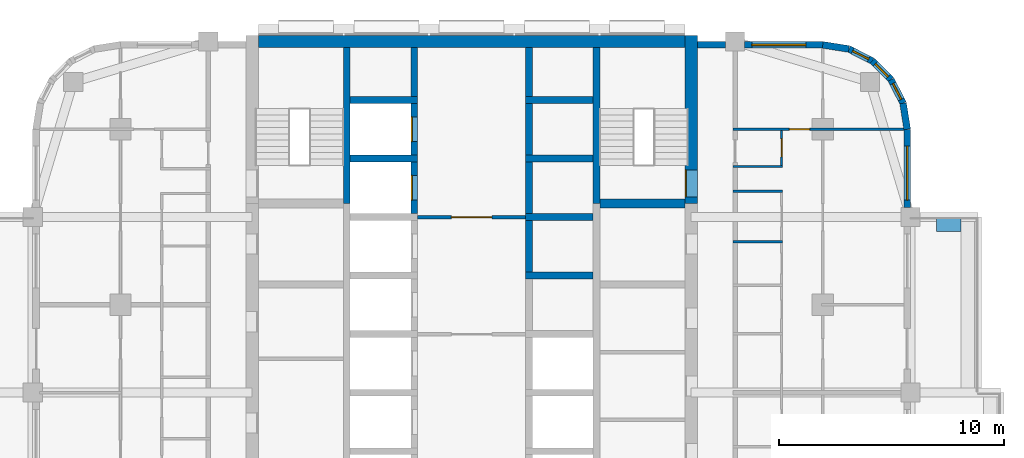
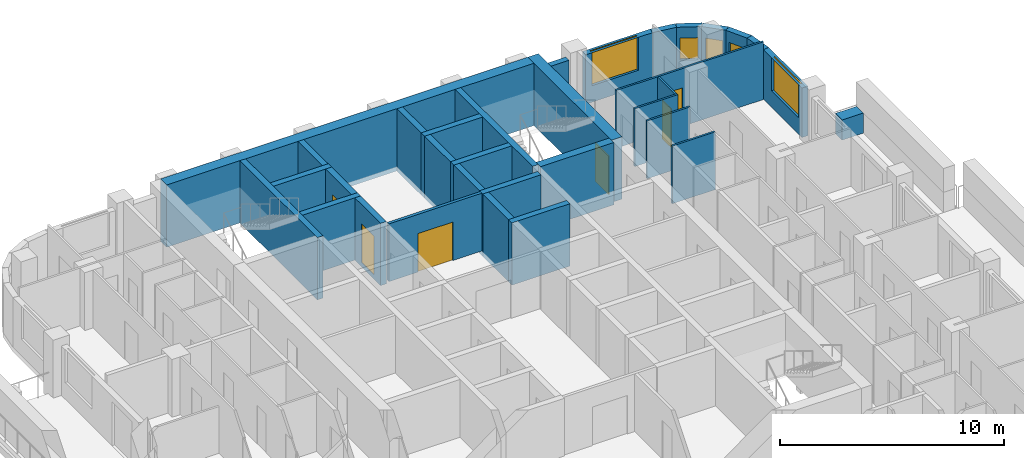
# One storey, part 9 of 13: 33 walls, 6 doors, 5 windows, 11 openings.
"""IFC4 building model written with IfcOpenShell, lengths in metres."""

from ifc_helpers import new_model, si_unit, direction, frame, frame_2d, origin, place, context, subcontext, project, spatial, rectangle, extrude, material, layer, layer_set, type_object, element, fill, save


model = new_model("IFC4")

# Units and contexts
model_context = context("Model", 3, precision=1e-05, world=origin(), true_north=direction((0.0, 1.0)))
body_context = subcontext(model_context, "Body", "Model", "MODEL_VIEW")
ifc_project = project(units=[si_unit("LENGTHUNIT", "METRE"), si_unit("AREAUNIT", "SQUARE_METRE"), si_unit("VOLUMEUNIT", "CUBIC_METRE"), si_unit("PLANEANGLEUNIT", "RADIAN"), si_unit("MASSUNIT", "GRAM", prefix="KILO")], contexts=[model_context])

# Site, building, storey
site_placement = place(None, origin())
site = spatial("IfcSite", under=ifc_project, at=site_placement, CompositionType="ELEMENT")
building_placement = place(site_placement, origin())
building = spatial("IfcBuilding", under=site, at=building_placement, Name="Ludao Terraces", CompositionType="ELEMENT")
storey_placement = place(building_placement, frame((0.0, 0.0, 130.5)))
storey = spatial("IfcBuildingStorey", under=building, at=storey_placement, Name="L35", CompositionType="ELEMENT", Elevation=130.5)

# Wall, opening, door
ifc_material_1 = material(Name="Concrete C60", Category="concrete")
ifc_layer_1 = layer(ifc_material_1, 0.550048828125)
ifc_layer_set_1 = layer_set([ifc_layer_1], Name="Core wall 550 C60")
wall_type_1 = type_object("IfcWallType", Name="Core wall 550 C60", PredefinedType="SOLIDWALL", material=ifc_layer_set_1)
wall_1_placement = place(storey_placement, frame((94.75, 77.300048828125, -0.25), z_axis=(0.0, 0.0, 1.0), x_axis=(0.0, 1.0, 0.0)))
wall_1 = element("IfcWall", 1, at=wall_1_placement, inside=storey, type_object=wall_type_1, Name="Core wall L35 outer-E-S2", PredefinedType="SOLIDWALL", context=body_context, shape_type="SweptSolid", body=[
    extrude(rectangle(XDim=7.474853515625, YDim=0.550048828125, at=frame_2d((3.7373046875, 0.0))), origin(), (0.0, 0.0, 1.0), 3.39990234375),
])
opening_1_placement = place(wall_1_placement, frame((0.300048828125, 0.0, 0.25)))
opening_1 = element("IfcOpeningElement", 2, at=opening_1_placement, cuts=wall_1, Name="Opening R11-083", PredefinedType="OPENING", context=body_context, shape_type="SweptSolid", body=[
    extrude(rectangle(XDim=1.199951171875, YDim=2.10009765625, at=frame_2d((0.60009765625, 1.050048828125))), frame((0.0, 0.28515625, 0.0), z_axis=(0.0, -1.0, 0.0), x_axis=(1.0, 0.0, 0.0)), (0.0, 0.0, 1.0), 0.570068359375),
])
ifc_material_2 = material(Name="Steel Q235", Category="steel")
door_type_1 = type_object("IfcDoorType", Name="INT Stair door 1200", OperationType="DOUBLE_DOOR_SINGLE_SWING", PredefinedType="DOOR", material=ifc_material_2)
door_1_placement = place(opening_1_placement, origin())
door_1 = element("IfcDoor", 3, at=door_1_placement, inside=storey, type_object=door_type_1, Name="DOOR 083", OperationType="DOUBLE_DOOR_SINGLE_SWING", OverallHeight=2.10009765625, OverallWidth=1.199951171875, PredefinedType="DOOR", context=body_context, shape_type="SweptSolid", body=[
    extrude(rectangle(XDim=1.199951171875, YDim=2.10009765625, at=frame_2d((0.60009765625, 1.050048828125))), frame((0.0, 0.26025390625, 0.0), z_axis=(0.0, -1.0, 0.0), x_axis=(1.0, 0.0, 0.0)), (0.0, 0.0, 1.0), 0.050048828125),
])
fill(opening_1, door_1)

# Walls
wall_2_placement = place(storey_placement, frame((75.52490234375, 84.5, -0.25), z_axis=(0.0, 0.0, 1.0), x_axis=(1.0, 0.0, 0.0)))
element("IfcWall", 4, at=wall_2_placement, inside=storey, type_object=wall_type_1, Name="Core wall L35 outer-N", PredefinedType="SOLIDWALL", context=body_context, shape_type="SweptSolid", body=[
    extrude(rectangle(XDim=18.9501953125, YDim=0.550048828125, at=frame_2d((9.47509765625, 0.0))), origin(), (0.0, 0.0, 1.0), 3.39990234375),
])
ifc_material_3 = material(Name="Concrete C40", Category="concrete")
ifc_layer_2 = layer(ifc_material_3, 0.60009765625)
ifc_layer_set_2 = layer_set([ifc_layer_2], Name="ENV Planter trough 600")
wall_type_2 = type_object("IfcWallType", Name="ENV Planter trough 600", PredefinedType="USERDEFINED", material=ifc_layer_set_2)
wall_3_placement = place(storey_placement, frame((106.75, 76.35009765625, 0.0), z_axis=(0.0, 0.0, 1.0), x_axis=(-1.0, 0.0, 0.0)))
element("IfcWall", 5, at=wall_3_placement, inside=storey, type_object=wall_type_2, Name="PL-L35-E3-SB", ObjectType="PLANTER", PredefinedType="USERDEFINED", context=body_context, shape_type="SweptSolid", body=[
    extrude(rectangle(XDim=1.10009765625, YDim=0.60009765625, at=frame_2d((0.550048828125, 0.0))), origin(), (0.0, 0.0, 1.0), 1.10009765625),
])

# Wall, opening, window
ifc_material_4 = material(Name="Granite cladding", Category="masonry")
ifc_layer_3 = layer(ifc_material_4, 0.0400390625, Category="stone")
ifc_material_5 = material(Name="Mineral wool")
ifc_layer_4 = layer(ifc_material_5, 0.06005859375)
ifc_layer_5 = layer(ifc_material_3, 0.199951171875, Category="concrete")
ifc_layer_set_3 = layer_set([ifc_layer_3, ifc_layer_4, ifc_layer_5], Name="ENV Stone-clad wall 300")
wall_type_3 = type_object("IfcWallType", Name="ENV Stone-clad wall 300", PredefinedType="SOLIDWALL", material=ifc_layer_set_3)
wall_4_placement = place(storey_placement, frame((104.35009765625, 77.125, 0.0), z_axis=(0.0, 0.0, 1.0), x_axis=(0.0, 1.0, 0.0)))
wall_4 = element("IfcWall", 6, at=wall_4_placement, inside=storey, type_object=wall_type_3, Name="EW-L35-E5", PredefinedType="SOLIDWALL", context=body_context, shape_type="SweptSolid", body=[
    extrude(rectangle(XDim=3.47509765625, YDim=0.300048828125, at=frame_2d((1.737548828125, 0.0))), origin(), (0.0, 0.0, 1.0), 2.699951171875),
])
opening_2_placement = place(wall_4_placement, frame((0.324951171875, 0.0, 0.89990234375)))
opening_2 = element("IfcOpeningElement", 7, at=opening_2_placement, cuts=wall_4, Name="Opening W1", PredefinedType="OPENING", context=body_context, shape_type="SweptSolid", body=[
    extrude(rectangle(XDim=2.39990234375, YDim=1.800048828125, at=frame_2d((1.199951171875, 0.89990234375))), frame((0.0, 0.16015625, 0.0), z_axis=(0.0, -1.0, 0.0), x_axis=(1.0, 0.0, 0.0)), (0.0, 0.0, 1.0), 0.320068359375),
])
ifc_material_6 = material(Name="Clear glass in aluminium frame", Category="aluminium")
ifc_layer_6 = layer(ifc_material_6, 0.06005859375)
ifc_layer_set_4 = layer_set([ifc_layer_6], Name="ENV Window W1 2400x1800")
window_type_1 = type_object("IfcWindowType", Name="ENV Window W1 2400x1800", PartitioningType="DOUBLE_PANEL_VERTICAL", PredefinedType="WINDOW", material=ifc_layer_set_4)
window_1_placement = place(opening_2_placement, origin())
window_1 = element("IfcWindow", 8, at=window_1_placement, inside=storey, type_object=window_type_1, Name="W-L35-E5-1", OverallHeight=1.800048828125, OverallWidth=2.39990234375, PartitioningType="DOUBLE_PANEL_VERTICAL", PredefinedType="WINDOW", context=body_context, shape_type="SweptSolid", body=[
    extrude(rectangle(XDim=2.39990234375, YDim=1.800048828125, at=frame_2d((1.199951171875, 0.89990234375))), frame((0.0, 0.030029296875, 0.0), z_axis=(0.0, -1.0, 0.0), x_axis=(1.0, 0.0, 0.0)), (0.0, 0.0, 1.0), 0.06005859375),
])
fill(opening_2, window_1)

# Wall
wall_5_placement = place(storey_placement, frame((95.02490234375, 84.35009765625, 0.0), z_axis=(0.0, 0.0, 1.0), x_axis=(1.0, 0.0, 0.0)))
element("IfcWall", 9, at=wall_5_placement, inside=storey, type_object=wall_type_3, Name="EW-L35-N3", PredefinedType="SOLIDWALL", context=body_context, shape_type="SweptSolid", body=[
    extrude(rectangle(XDim=1.25, YDim=0.300048828125, at=frame_2d((0.625, 0.0))), origin(), (0.0, 0.0, 1.0), 2.699951171875),
])

# Wall, opening, window
wall_6_placement = place(storey_placement, frame((97.125, 84.35009765625, 0.0), z_axis=(0.0, 0.0, 1.0), x_axis=(1.0, 0.0, 0.0)))
wall_6 = element("IfcWall", 10, at=wall_6_placement, inside=storey, type_object=wall_type_3, Name="EW-L35-N4", PredefinedType="SOLIDWALL", context=body_context, shape_type="SweptSolid", body=[
    extrude(rectangle(XDim=3.47509765625, YDim=0.300048828125, at=frame_2d((1.737548828125, 0.0))), origin(), (0.0, 0.0, 1.0), 2.699951171875),
])
opening_3_placement = place(wall_6_placement, frame((0.324951171875, 0.0, 0.89990234375)))
opening_3 = element("IfcOpeningElement", 11, at=opening_3_placement, cuts=wall_6, Name="Opening W1", PredefinedType="OPENING", context=body_context, shape_type="SweptSolid", body=[
    extrude(rectangle(XDim=2.39990234375, YDim=1.800048828125, at=frame_2d((1.199951171875, 0.89990234375))), frame((0.0, 0.16015625, 0.0), z_axis=(0.0, -1.0, 0.0), x_axis=(1.0, 0.0, 0.0)), (0.0, 0.0, 1.0), 0.320068359375),
])
window_2_placement = place(opening_3_placement, origin())
window_2 = element("IfcWindow", 12, at=window_2_placement, inside=storey, type_object=window_type_1, Name="W-L35-N4-1", OverallHeight=1.800048828125, OverallWidth=2.39990234375, PartitioningType="DOUBLE_PANEL_VERTICAL", PredefinedType="WINDOW", context=body_context, shape_type="SweptSolid", body=[
    extrude(rectangle(XDim=2.39990234375, YDim=1.800048828125, at=frame_2d((1.199951171875, 0.89990234375))), frame((0.0, 0.030029296875, 0.0), z_axis=(0.0, -1.0, 0.0), x_axis=(1.0, 0.0, 0.0)), (0.0, 0.0, 1.0), 0.06005859375),
])
fill(opening_3, window_2)

# Wall
wall_7_placement = place(storey_placement, frame((104.35009765625, 80.60009765625, 0.0), z_axis=(0.0, 0.0, 1.0), x_axis=(-0.156496880861, 0.987678452879, 0.0)))
element("IfcWall", 13, at=wall_7_placement, inside=storey, type_object=wall_type_3, Name="EW-L35-NE1", PredefinedType="SOLIDWALL", context=body_context, shape_type="SweptSolid", body=[
    extrude(rectangle(XDim=1.173095703125, YDim=0.300048828125, at=frame_2d((0.58642578125, 0.0))), origin(), (0.0, 0.0, 1.0), 2.699951171875),
])

# Wall, opening, window
wall_8_placement = place(storey_placement, frame((104.16650390625, 81.7587890625, 0.0), z_axis=(0.0, 0.0, 1.0), x_axis=(-0.454025524128, 0.890988677504, 0.0)))
wall_8 = element("IfcWall", 14, at=wall_8_placement, inside=storey, type_object=wall_type_3, Name="EW-L35-NE2", PredefinedType="SOLIDWALL", context=body_context, shape_type="SweptSolid", body=[
    extrude(rectangle(XDim=1.17333984375, YDim=0.300048828125, at=frame_2d((0.586669921875, 0.0))), origin(), (0.0, 0.0, 1.0), 2.699951171875),
])
opening_4_placement = place(wall_8_placement, frame((0.1865234375, 0.0, 0.89990234375)))
opening_4 = element("IfcOpeningElement", 15, at=opening_4_placement, cuts=wall_8, Name="Opening W3", PredefinedType="OPENING", context=body_context, shape_type="SweptSolid", body=[
    extrude(rectangle(XDim=0.800048828125, YDim=1.199951171875, at=frame_2d((0.39990234375, 0.60009765625))), frame((0.0, 0.16015625, 0.0), z_axis=(0.0, -1.0, 0.0), x_axis=(1.0, 0.0, 0.0)), (0.0, 0.0, 1.0), 0.320068359375),
])
ifc_layer_7 = layer(ifc_material_6, 0.06005859375)
ifc_layer_set_5 = layer_set([ifc_layer_7], Name="ENV Window W3 800x1200")
window_type_2 = type_object("IfcWindowType", Name="ENV Window W3 800x1200", PartitioningType="SINGLE_PANEL", PredefinedType="WINDOW", material=ifc_layer_set_5)
window_3_placement = place(opening_4_placement, origin())
window_3 = element("IfcWindow", 16, at=window_3_placement, inside=storey, type_object=window_type_2, Name="W-L35-NE2", OverallHeight=1.199951171875, OverallWidth=0.800048828125, PartitioningType="SINGLE_PANEL", PredefinedType="WINDOW", context=body_context, shape_type="SweptSolid", body=[
    extrude(rectangle(XDim=0.800048828125, YDim=1.199951171875, at=frame_2d((0.39990234375, 0.60009765625))), frame((0.0, 0.030029296875, 0.0), z_axis=(0.0, -1.0, 0.0), x_axis=(1.0, 0.0, 0.0)), (0.0, 0.0, 1.0), 0.06005859375),
])
fill(opening_4, window_3)

wall_9_placement = place(storey_placement, frame((103.6337890625, 82.80419921875, 0.0), z_axis=(0.0, 0.0, 1.0), x_axis=(-0.707106781187, 0.707106781187, 0.0)))
wall_9 = element("IfcWall", 17, at=wall_9_placement, inside=storey, type_object=wall_type_3, Name="EW-L35-NE3", PredefinedType="SOLIDWALL", context=body_context, shape_type="SweptSolid", body=[
    extrude(rectangle(XDim=1.173095703125, YDim=0.300048828125, at=frame_2d((0.58642578125, 0.0))), origin(), (0.0, 0.0, 1.0), 2.699951171875),
])
opening_5_placement = place(wall_9_placement, frame((0.1865234375, 0.0, 0.89990234375)))
opening_5 = element("IfcOpeningElement", 18, at=opening_5_placement, cuts=wall_9, Name="Opening W3", PredefinedType="OPENING", context=body_context, shape_type="SweptSolid", body=[
    extrude(rectangle(XDim=0.800048828125, YDim=1.199951171875, at=frame_2d((0.39990234375, 0.60009765625))), frame((0.0, 0.16015625, 0.0), z_axis=(0.0, -1.0, 0.0), x_axis=(1.0, 0.0, 0.0)), (0.0, 0.0, 1.0), 0.320068359375),
])
window_4_placement = place(opening_5_placement, origin())
window_4 = element("IfcWindow", 19, at=window_4_placement, inside=storey, type_object=window_type_2, Name="W-L35-NE3", OverallHeight=1.199951171875, OverallWidth=0.800048828125, PartitioningType="SINGLE_PANEL", PredefinedType="WINDOW", context=body_context, shape_type="SweptSolid", body=[
    extrude(rectangle(XDim=0.800048828125, YDim=1.199951171875, at=frame_2d((0.39990234375, 0.60009765625))), frame((0.0, 0.030029296875, 0.0), z_axis=(0.0, -1.0, 0.0), x_axis=(1.0, 0.0, 0.0)), (0.0, 0.0, 1.0), 0.06005859375),
])
fill(opening_5, window_4)

wall_10_placement = place(storey_placement, frame((102.80419921875, 83.6337890625, 0.0), z_axis=(0.0, 0.0, 1.0), x_axis=(-0.890988677504, 0.454025524128, 0.0)))
wall_10 = element("IfcWall", 20, at=wall_10_placement, inside=storey, type_object=wall_type_3, Name="EW-L35-NE4", PredefinedType="SOLIDWALL", context=body_context, shape_type="SweptSolid", body=[
    extrude(rectangle(XDim=1.17333984375, YDim=0.300048828125, at=frame_2d((0.586669921875, 0.0))), origin(), (0.0, 0.0, 1.0), 2.699951171875),
])
opening_6_placement = place(wall_10_placement, frame((0.1865234375, 0.0, 0.89990234375)))
opening_6 = element("IfcOpeningElement", 21, at=opening_6_placement, cuts=wall_10, Name="Opening W3", PredefinedType="OPENING", context=body_context, shape_type="SweptSolid", body=[
    extrude(rectangle(XDim=0.800048828125, YDim=1.199951171875, at=frame_2d((0.39990234375, 0.60009765625))), frame((0.0, 0.16015625, 0.0), z_axis=(0.0, -1.0, 0.0), x_axis=(1.0, 0.0, 0.0)), (0.0, 0.0, 1.0), 0.320068359375),
])
window_5_placement = place(opening_6_placement, origin())
window_5 = element("IfcWindow", 22, at=window_5_placement, inside=storey, type_object=window_type_2, Name="W-L35-NE4", OverallHeight=1.199951171875, OverallWidth=0.800048828125, PartitioningType="SINGLE_PANEL", PredefinedType="WINDOW", context=body_context, shape_type="SweptSolid", body=[
    extrude(rectangle(XDim=0.800048828125, YDim=1.199951171875, at=frame_2d((0.39990234375, 0.60009765625))), frame((0.0, 0.030029296875, 0.0), z_axis=(0.0, -1.0, 0.0), x_axis=(1.0, 0.0, 0.0)), (0.0, 0.0, 1.0), 0.06005859375),
])
fill(opening_6, window_5)

# Wall
wall_11_placement = place(storey_placement, frame((101.7587890625, 84.16650390625, 0.0), z_axis=(0.0, 0.0, 1.0), x_axis=(-0.987678452879, 0.156496880861, 0.0)))
element("IfcWall", 23, at=wall_11_placement, inside=storey, type_object=wall_type_3, Name="EW-L35-NE5", PredefinedType="SOLIDWALL", context=body_context, shape_type="SweptSolid", body=[
    extrude(rectangle(XDim=1.173095703125, YDim=0.300048828125, at=frame_2d((0.58642578125, 0.0))), origin(), (0.0, 0.0, 1.0), 2.699951171875),
])

# Wall, opening, door
ifc_material_7 = material(Name="Fire-rated gypsum plasterboard", Category="gypsum")
ifc_layer_8 = layer(ifc_material_7, 0.012451171875, Category="gypsum")
ifc_layer_9 = layer(ifc_material_5, 0.10009765625, Name="insulation")
ifc_layer_10 = layer(ifc_material_2, 0.02490234375, Name="stud")
ifc_layer_11 = layer(ifc_material_7, 0.012451171875, Category="gypsum")
ifc_layer_set_6 = layer_set([ifc_layer_8, ifc_layer_9, ifc_layer_10, ifc_layer_11], Name="INT Core partition 150")
wall_type_4 = type_object("IfcWallType", Name="INT Core partition 150", PredefinedType="PARTITIONING", material=ifc_layer_set_6)
wall_12_placement = place(storey_placement, frame((82.60009765625, 76.699951171875, 0.0), z_axis=(0.0, 0.0, 1.0), x_axis=(1.0, 0.0, 0.0)))
wall_12 = element("IfcWall", 24, at=wall_12_placement, inside=storey, type_object=wall_type_4, Name="PW-L35-PW040", PredefinedType="PARTITIONING", context=body_context, shape_type="SweptSolid", body=[
    extrude(rectangle(XDim=4.800048828125, YDim=0.14990234375, at=frame_2d((2.39990234375, 0.0))), origin(), (0.0, 0.0, 1.0), 3.14990234375),
])
opening_7_placement = place(wall_12_placement, frame((1.5, 0.0, 0.0)))
opening_7 = element("IfcOpeningElement", 25, at=opening_7_placement, cuts=wall_12, Name="Opening R11-078", PredefinedType="OPENING", context=body_context, shape_type="SweptSolid", body=[
    extrude(rectangle(XDim=1.800048828125, YDim=2.10009765625, at=frame_2d((0.89990234375, 1.050048828125))), frame((0.0, 0.0849609375, 0.0), z_axis=(0.0, -1.0, 0.0), x_axis=(1.0, 0.0, 0.0)), (0.0, 0.0, 1.0), 0.169921875),
])
door_type_2 = type_object("IfcDoorType", Name="INT Fire lobby door 1800", OperationType="DOUBLE_DOOR_SINGLE_SWING", PredefinedType="DOOR", material=ifc_material_2)
door_2_placement = place(opening_7_placement, origin())
door_2 = element("IfcDoor", 26, at=door_2_placement, inside=storey, type_object=door_type_2, Name="DOOR 078", OperationType="DOUBLE_DOOR_SINGLE_SWING", OverallHeight=2.10009765625, OverallWidth=1.800048828125, PredefinedType="DOOR", context=body_context, shape_type="SweptSolid", body=[
    extrude(rectangle(XDim=1.800048828125, YDim=2.10009765625, at=frame_2d((0.89990234375, 1.050048828125))), frame((0.0, 0.02490234375, 0.0), z_axis=(0.0, -1.0, 0.0), x_axis=(1.0, 0.0, 0.0)), (0.0, 0.0, 1.0), 0.050048828125),
])
fill(opening_7, door_2)

# Walls
ifc_material_8 = material(Name="Gypsum plasterboard", Category="gypsum")
ifc_layer_12 = layer(ifc_material_8, 0.012451171875, Category="gypsum")
ifc_layer_13 = layer(ifc_material_5, 0.06005859375, Name="insulation")
ifc_layer_14 = layer(ifc_material_2, 0.014892578125, Name="stud")
ifc_layer_15 = layer(ifc_material_8, 0.012451171875, Category="gypsum")
ifc_layer_set_7 = layer_set([ifc_layer_12, ifc_layer_13, ifc_layer_14, ifc_layer_15], Name="INT Partition 100")
wall_type_5 = type_object("IfcWallType", Name="INT Partition 100", PredefinedType="PARTITIONING", material=ifc_layer_set_7)
for number, where, z_axis, x_axis, name in (
    (27, (96.60009765625, 75.60009765625, 0.0), (0.0, 0.0, 1.0), (1.0, 0.0, 0.0), "PW-L35-PW039"),
    (28, (96.60009765625, 77.85009765625, 0.0), (0.0, 0.0, 1.0), (1.0, 0.0, 0.0), "PW-L35-PW042"),
    (29, (96.60009765625, 78.949951171875, 0.0), (0.0, 0.0, 1.0), (1.0, 0.0, 0.0), "PW-L35-PW044"),
):
    element("IfcWall", number, at=place(storey_placement, frame(where, z_axis=z_axis, x_axis=x_axis)), inside=storey, type_object=wall_type_5, Name=name, PredefinedType="PARTITIONING", context=body_context, shape_type="SweptSolid", body=[
        extrude(rectangle(XDim=2.219970703125, YDim=0.10009765625, at=frame_2d((1.10986328125, 0.0))), origin(), (0.0, 0.0, 1.0), 3.14990234375),
    ])

# Wall, opening, door
wall_13_placement = place(storey_placement, frame((96.60009765625, 80.60009765625, 0.0), z_axis=(0.0, 0.0, 1.0), x_axis=(1.0, 0.0, 0.0)))
wall_13 = element("IfcWall", 30, at=wall_13_placement, inside=storey, type_object=wall_type_5, Name="PW-L35-PW046", PredefinedType="PARTITIONING", context=body_context, shape_type="SweptSolid", body=[
    extrude(rectangle(XDim=7.60009765625, YDim=0.10009765625, at=frame_2d((3.800048828125, 0.0))), origin(), (0.0, 0.0, 1.0), 3.14990234375),
])
opening_8_placement = place(wall_13_placement, frame((2.510009765625, 0.0, 0.0)))
opening_8 = element("IfcOpeningElement", 31, at=opening_8_placement, cuts=wall_13, Name="Opening R11-090", PredefinedType="OPENING", context=body_context, shape_type="SweptSolid", body=[
    extrude(rectangle(XDim=0.89990234375, YDim=2.10009765625, at=frame_2d((0.449951171875, 1.050048828125))), frame((0.0, 0.06005859375, 0.0), z_axis=(0.0, -1.0, 0.0), x_axis=(1.0, 0.0, 0.0)), (0.0, 0.0, 1.0), 0.1201171875),
])
ifc_material_9 = material(Name="Timber door leaf", Category="wood")
door_type_3 = type_object("IfcDoorType", Name="INT Room door 900", OperationType="SINGLE_SWING_LEFT", PredefinedType="DOOR", material=ifc_material_9)
door_3_placement = place(opening_8_placement, origin())
door_3 = element("IfcDoor", 32, at=door_3_placement, inside=storey, type_object=door_type_3, Name="DOOR 090", OperationType="SINGLE_SWING_RIGHT", OverallHeight=2.10009765625, OverallWidth=0.89990234375, PredefinedType="DOOR", context=body_context, shape_type="SweptSolid", body=[
    extrude(rectangle(XDim=0.89990234375, YDim=2.10009765625, at=frame_2d((0.449951171875, 1.050048828125))), frame((0.0, 0.02490234375, 0.0), z_axis=(0.0, -1.0, 0.0), x_axis=(1.0, 0.0, 0.0)), (0.0, 0.0, 1.0), 0.050048828125),
])
fill(opening_8, door_3)

wall_14_placement = place(storey_placement, frame((98.77001953125, 79.0, 0.0), z_axis=(0.0, 0.0, 1.0), x_axis=(0.0, 1.0, 0.0)))
wall_14 = element("IfcWall", 33, at=wall_14_placement, inside=storey, type_object=wall_type_5, Name="PW-L35-PW074", PredefinedType="PARTITIONING", context=body_context, shape_type="SweptSolid", body=[
    extrude(rectangle(XDim=1.550048828125, YDim=0.10009765625, at=frame_2d((0.77490234375, 0.0))), origin(), (0.0, 0.0, 1.0), 3.14990234375),
])
opening_9_placement = place(wall_14_placement, frame((0.375, 0.0, 0.0)))
opening_9 = element("IfcOpeningElement", 34, at=opening_9_placement, cuts=wall_14, Name="Opening R11-087", PredefinedType="OPENING", context=body_context, shape_type="SweptSolid", body=[
    extrude(rectangle(XDim=0.800048828125, YDim=2.10009765625, at=frame_2d((0.39990234375, 1.050048828125))), frame((0.0, 0.06005859375, 0.0), z_axis=(0.0, -1.0, 0.0), x_axis=(1.0, 0.0, 0.0)), (0.0, 0.0, 1.0), 0.1201171875),
])
door_type_4 = type_object("IfcDoorType", Name="INT Store door 800", OperationType="SINGLE_SWING_LEFT", PredefinedType="DOOR", material=ifc_material_9)
door_4_placement = place(opening_9_placement, origin())
door_4 = element("IfcDoor", 35, at=door_4_placement, inside=storey, type_object=door_type_4, Name="DOOR 087", OperationType="SINGLE_SWING_LEFT", OverallHeight=2.10009765625, OverallWidth=0.800048828125, PredefinedType="DOOR", context=body_context, shape_type="SweptSolid", body=[
    extrude(rectangle(XDim=0.800048828125, YDim=2.10009765625, at=frame_2d((0.39990234375, 1.050048828125))), frame((0.0, 0.02490234375, 0.0), z_axis=(0.0, -1.0, 0.0), x_axis=(1.0, 0.0, 0.0)), (0.0, 0.0, 1.0), 0.050048828125),
])
fill(opening_9, door_4)

# Walls
ifc_material_10 = material(Name="Concrete C55", Category="concrete")
ifc_layer_16 = layer(ifc_material_10, 0.300048828125)
ifc_layer_set_8 = layer_set([ifc_layer_16], Name="Shaft wall 300 C55")
wall_type_6 = type_object("IfcWallType", Name="Shaft wall 300 C55", PredefinedType="SOLIDWALL", material=ifc_layer_set_8)
for number, where, z_axis, x_axis, name in (
    (36, (79.449951171875, 77.300048828125, -0.25), (0.0, 0.0, 1.0), (0.0, 1.0, 0.0), "Core wall L35 back-W-S1"),
    (37, (90.550048828125, 77.300048828125, -0.25), (0.0, 0.0, 1.0), (0.0, 1.0, 0.0), "Core wall L35 back-E-S2"),
):
    element("IfcWall", number, at=place(storey_placement, frame(where, z_axis=z_axis, x_axis=x_axis)), inside=storey, type_object=wall_type_6, Name=name, PredefinedType="SOLIDWALL", context=body_context, shape_type="SweptSolid", body=[
        extrude(rectangle(XDim=6.925048828125, YDim=0.300048828125, at=frame_2d((3.46240234375, 0.0))), origin(), (0.0, 0.0, 1.0), 3.39990234375),
    ])

# Wall, opening, door
wall_15_placement = place(storey_placement, frame((82.449951171875, 76.85009765625, -0.25), z_axis=(0.0, 0.0, 1.0), x_axis=(0.0, 1.0, 0.0)))
wall_15 = element("IfcWall", 38, at=wall_15_placement, inside=storey, type_object=wall_type_6, Name="Core wall L35 front-W7", PredefinedType="SOLIDWALL", context=body_context, shape_type="SweptSolid", body=[
    extrude(rectangle(XDim=2.2998046875, YDim=0.300048828125, at=frame_2d((1.14990234375, 0.0))), origin(), (0.0, 0.0, 1.0), 3.39990234375),
])
opening_10_placement = place(wall_15_placement, frame((0.60009765625, 0.0, 0.25)))
opening_10 = element("IfcOpeningElement", 39, at=opening_10_placement, cuts=wall_15, Name="Opening LD-FF1", PredefinedType="OPENING", context=body_context, shape_type="SweptSolid", body=[
    extrude(rectangle(XDim=1.10009765625, YDim=2.10009765625, at=frame_2d((0.550048828125, 1.050048828125))), frame((0.0, 0.16015625, 0.0), z_axis=(0.0, -1.0, 0.0), x_axis=(1.0, 0.0, 0.0)), (0.0, 0.0, 1.0), 0.320068359375),
])
ifc_material_11 = material(Name="Stainless steel 304", Category="steel")
door_type_5 = type_object("IfcDoorType", Name="INT Lift landing door 1100", OperationType="SLIDING_TO_LEFT", PredefinedType="DOOR", material=ifc_material_11)
door_5_placement = place(opening_10_placement, origin())
door_5 = element("IfcDoor", 40, at=door_5_placement, inside=storey, type_object=door_type_5, Name="LANDING DOOR FF1 L35", OperationType="SLIDING_TO_LEFT", OverallHeight=2.10009765625, OverallWidth=1.10009765625, PredefinedType="DOOR", context=body_context, shape_type="SweptSolid", body=[
    extrude(rectangle(XDim=1.10009765625, YDim=2.10009765625, at=frame_2d((0.550048828125, 1.050048828125))), frame((0.0, 0.13525390625, 0.0), z_axis=(0.0, -1.0, 0.0), x_axis=(1.0, 0.0, 0.0)), (0.0, 0.0, 1.0), 0.050048828125),
])
fill(opening_10, door_5)

# Wall
wall_16_placement = place(storey_placement, frame((79.60009765625, 79.300048828125, -0.25), z_axis=(0.0, 0.0, 1.0), x_axis=(1.0, 0.0, 0.0)))
element("IfcWall", 41, at=wall_16_placement, inside=storey, type_object=wall_type_6, Name="Core wall L35 div-W8", PredefinedType="SOLIDWALL", context=body_context, shape_type="SweptSolid", body=[
    extrude(rectangle(XDim=3.0, YDim=0.300048828125, at=frame_2d((1.5, 0.0))), origin(), (0.0, 0.0, 1.0), 3.39990234375),
])

# Wall, opening, door
wall_17_placement = place(storey_placement, frame((82.449951171875, 79.449951171875, -0.25), z_axis=(0.0, 0.0, 1.0), x_axis=(0.0, 1.0, 0.0)))
wall_17 = element("IfcWall", 42, at=wall_17_placement, inside=storey, type_object=wall_type_6, Name="Core wall L35 front-W8", PredefinedType="SOLIDWALL", context=body_context, shape_type="SweptSolid", body=[
    extrude(rectangle(XDim=2.300048828125, YDim=0.300048828125, at=frame_2d((1.14990234375, 0.0))), origin(), (0.0, 0.0, 1.0), 3.39990234375),
])
opening_11_placement = place(wall_17_placement, frame((0.60009765625, 0.0, 0.25)))
opening_11 = element("IfcOpeningElement", 43, at=opening_11_placement, cuts=wall_17, Name="Opening LD-FF2", PredefinedType="OPENING", context=body_context, shape_type="SweptSolid", body=[
    extrude(rectangle(XDim=1.10009765625, YDim=2.10009765625, at=frame_2d((0.550048828125, 1.050048828125))), frame((0.0, 0.16015625, 0.0), z_axis=(0.0, -1.0, 0.0), x_axis=(1.0, 0.0, 0.0)), (0.0, 0.0, 1.0), 0.320068359375),
])
door_6_placement = place(opening_11_placement, origin())
door_6 = element("IfcDoor", 44, at=door_6_placement, inside=storey, type_object=door_type_5, Name="LANDING DOOR FF2 L35", OperationType="SLIDING_TO_LEFT", OverallHeight=2.10009765625, OverallWidth=1.10009765625, PredefinedType="DOOR", context=body_context, shape_type="SweptSolid", body=[
    extrude(rectangle(XDim=1.10009765625, YDim=2.10009765625, at=frame_2d((0.550048828125, 1.050048828125))), frame((0.0, 0.13525390625, 0.0), z_axis=(0.0, -1.0, 0.0), x_axis=(1.0, 0.0, 0.0)), (0.0, 0.0, 1.0), 0.050048828125),
])
fill(opening_11, door_6)

# Walls
wall_18_placement = place(storey_placement, frame((79.60009765625, 81.89990234375, -0.25), z_axis=(0.0, 0.0, 1.0), x_axis=(1.0, 0.0, 0.0)))
element("IfcWall", 45, at=wall_18_placement, inside=storey, type_object=wall_type_6, Name="Core wall L35 div-W9", PredefinedType="SOLIDWALL", context=body_context, shape_type="SweptSolid", body=[
    extrude(rectangle(XDim=3.0, YDim=0.300048828125, at=frame_2d((1.5, 0.0))), origin(), (0.0, 0.0, 1.0), 3.39990234375),
])
wall_19_placement = place(storey_placement, frame((82.449951171875, 82.050048828125, -0.25), z_axis=(0.0, 0.0, 1.0), x_axis=(0.0, 1.0, 0.0)))
element("IfcWall", 46, at=wall_19_placement, inside=storey, type_object=wall_type_6, Name="Core wall L35 front-W9", PredefinedType="SOLIDWALL", context=body_context, shape_type="SweptSolid", body=[
    extrude(rectangle(XDim=2.175048828125, YDim=0.300048828125, at=frame_2d((1.08740234375, 0.0))), origin(), (0.0, 0.0, 1.0), 3.39990234375),
])
wall_20_placement = place(storey_placement, frame((87.39990234375, 74.10009765625, -0.25), z_axis=(0.0, 0.0, 1.0), x_axis=(1.0, 0.0, 0.0)))
element("IfcWall", 47, at=wall_20_placement, inside=storey, type_object=wall_type_6, Name="Core wall L35 div-E6", PredefinedType="SOLIDWALL", context=body_context, shape_type="SweptSolid", body=[
    extrude(rectangle(XDim=3.0, YDim=0.300048828125, at=frame_2d((1.5, 0.0))), origin(), (0.0, 0.0, 1.0), 3.39990234375),
])
wall_21_placement = place(storey_placement, frame((87.550048828125, 74.25, -0.25), z_axis=(0.0, 0.0, 1.0), x_axis=(0.0, 1.0, 0.0)))
element("IfcWall", 48, at=wall_21_placement, inside=storey, type_object=wall_type_6, Name="Core wall L35 front-E6", PredefinedType="SOLIDWALL", context=body_context, shape_type="SweptSolid", body=[
    extrude(rectangle(XDim=2.300048828125, YDim=0.300048828125, at=frame_2d((1.14990234375, 0.0))), origin(), (0.0, 0.0, 1.0), 3.39990234375),
])
wall_22_placement = place(storey_placement, frame((87.39990234375, 76.699951171875, -0.25), z_axis=(0.0, 0.0, 1.0), x_axis=(1.0, 0.0, 0.0)))
element("IfcWall", 49, at=wall_22_placement, inside=storey, type_object=wall_type_6, Name="Core wall L35 div-E7", PredefinedType="SOLIDWALL", context=body_context, shape_type="SweptSolid", body=[
    extrude(rectangle(XDim=3.0, YDim=0.300048828125, at=frame_2d((1.5, 0.0))), origin(), (0.0, 0.0, 1.0), 3.39990234375),
])
wall_23_placement = place(storey_placement, frame((87.550048828125, 76.85009765625, -0.25), z_axis=(0.0, 0.0, 1.0), x_axis=(0.0, 1.0, 0.0)))
element("IfcWall", 50, at=wall_23_placement, inside=storey, type_object=wall_type_6, Name="Core wall L35 front-E7", PredefinedType="SOLIDWALL", context=body_context, shape_type="SweptSolid", body=[
    extrude(rectangle(XDim=2.2998046875, YDim=0.300048828125, at=frame_2d((1.14990234375, 0.0))), origin(), (0.0, 0.0, 1.0), 3.39990234375),
])
wall_24_placement = place(storey_placement, frame((87.39990234375, 79.300048828125, -0.25), z_axis=(0.0, 0.0, 1.0), x_axis=(1.0, 0.0, 0.0)))
element("IfcWall", 51, at=wall_24_placement, inside=storey, type_object=wall_type_6, Name="Core wall L35 div-E8", PredefinedType="SOLIDWALL", context=body_context, shape_type="SweptSolid", body=[
    extrude(rectangle(XDim=3.0, YDim=0.300048828125, at=frame_2d((1.5, 0.0))), origin(), (0.0, 0.0, 1.0), 3.39990234375),
])
wall_25_placement = place(storey_placement, frame((87.550048828125, 79.449951171875, -0.25), z_axis=(0.0, 0.0, 1.0), x_axis=(0.0, 1.0, 0.0)))
element("IfcWall", 52, at=wall_25_placement, inside=storey, type_object=wall_type_6, Name="Core wall L35 front-E8", PredefinedType="SOLIDWALL", context=body_context, shape_type="SweptSolid", body=[
    extrude(rectangle(XDim=2.300048828125, YDim=0.300048828125, at=frame_2d((1.14990234375, 0.0))), origin(), (0.0, 0.0, 1.0), 3.39990234375),
])
wall_26_placement = place(storey_placement, frame((87.39990234375, 81.89990234375, -0.25), z_axis=(0.0, 0.0, 1.0), x_axis=(1.0, 0.0, 0.0)))
element("IfcWall", 53, at=wall_26_placement, inside=storey, type_object=wall_type_6, Name="Core wall L35 div-E9", PredefinedType="SOLIDWALL", context=body_context, shape_type="SweptSolid", body=[
    extrude(rectangle(XDim=3.0, YDim=0.300048828125, at=frame_2d((1.5, 0.0))), origin(), (0.0, 0.0, 1.0), 3.39990234375),
])
wall_27_placement = place(storey_placement, frame((87.550048828125, 82.050048828125, -0.25), z_axis=(0.0, 0.0, 1.0), x_axis=(0.0, 1.0, 0.0)))
element("IfcWall", 54, at=wall_27_placement, inside=storey, type_object=wall_type_6, Name="Core wall L35 front-E9", PredefinedType="SOLIDWALL", context=body_context, shape_type="SweptSolid", body=[
    extrude(rectangle(XDim=2.175048828125, YDim=0.300048828125, at=frame_2d((1.08740234375, 0.0))), origin(), (0.0, 0.0, 1.0), 3.39990234375),
])
ifc_layer_17 = layer(ifc_material_10, 0.39990234375)
ifc_layer_set_9 = layer_set([ifc_layer_17], Name="Shaft wall 400 C55")
wall_type_7 = type_object("IfcWallType", Name="Shaft wall 400 C55", PredefinedType="SOLIDWALL", material=ifc_layer_set_9)
wall_28_placement = place(storey_placement, frame((90.699951171875, 77.300048828125, -0.25), z_axis=(0.0, 0.0, 1.0), x_axis=(1.0, 0.0, 0.0)))
element("IfcWall", 55, at=wall_28_placement, inside=storey, type_object=wall_type_7, Name="Core wall L35 stair-E", PredefinedType="SOLIDWALL", context=body_context, shape_type="SweptSolid", body=[
    extrude(rectangle(XDim=3.775146484375, YDim=0.39990234375, at=frame_2d((1.8876953125, 0.0))), origin(), (0.0, 0.0, 1.0), 3.39990234375),
])

save(model, "model.ifc")
